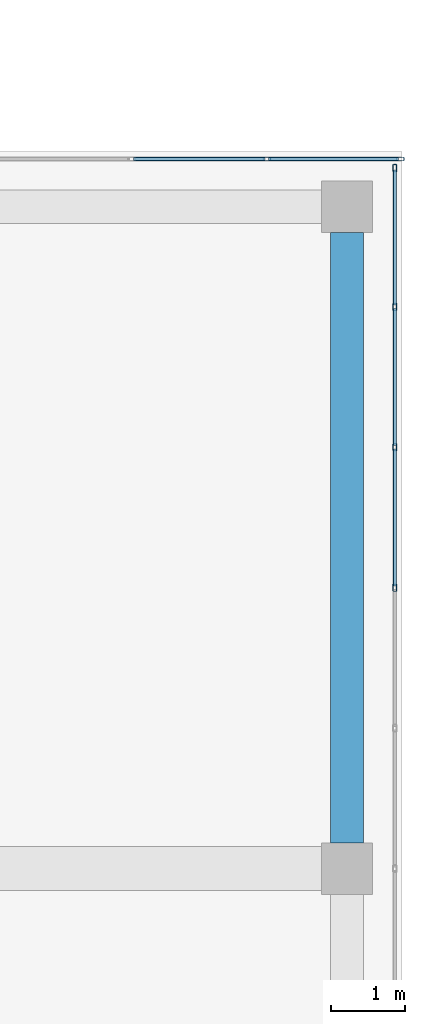
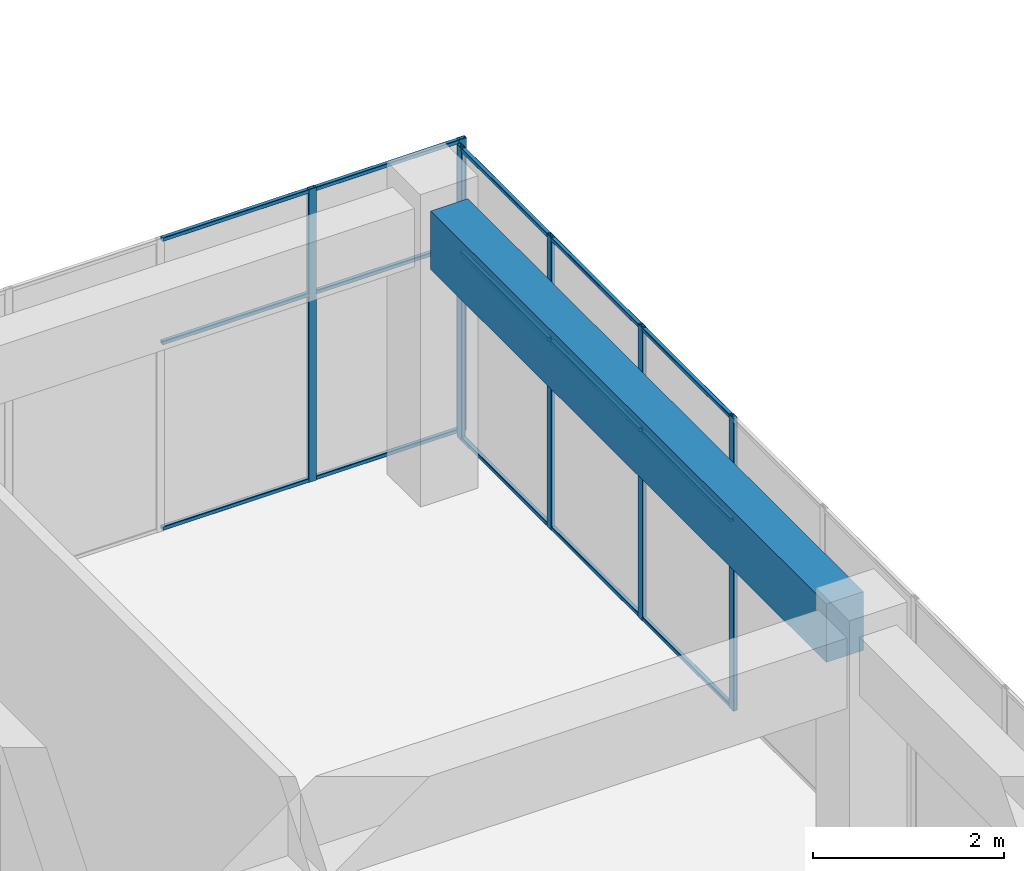
# One storey, part 28 of 49: 21 members, 1 beam, 2 elements without a shape of their own.
"""IFC4 building model written with IfcOpenShell, lengths in metres."""

from ifc_helpers import new_model, si_unit, direction, frame, origin, origin_2d, place, context, subcontext, project, spatial, rectangle, hollow_rectangle, extrude, material, layer, layer_set, material_profile, profile_set, type_object, element, aggregate, save


model = new_model("IFC4")

# Units and contexts
model_context = context("Model", 3, precision=1e-05, world=origin(), true_north=direction((0.0, 1.0)))
body_context = subcontext(model_context, "Body", "Model", "MODEL_VIEW")
ifc_project = project(units=[si_unit("LENGTHUNIT", "METRE"), si_unit("AREAUNIT", "SQUARE_METRE"), si_unit("VOLUMEUNIT", "CUBIC_METRE"), si_unit("PLANEANGLEUNIT", "RADIAN"), si_unit("MASSUNIT", "GRAM", prefix="KILO")], contexts=[model_context])

# Site, building, storey
site_placement = place(None, origin())
site = spatial("IfcSite", under=ifc_project, at=site_placement, CompositionType="ELEMENT")
building_placement = place(site_placement, origin())
building = spatial("IfcBuilding", under=site, at=building_placement, Name="Tuart Plaza Theatre", CompositionType="ELEMENT")
storey_placement = place(building_placement, frame((0.0, 0.0, 29.5)))
storey = spatial("IfcBuildingStorey", under=building, at=storey_placement, Name="L07", CompositionType="ELEMENT", Elevation=29.5)

# Beam
ifc_material_1 = material(Name="Concrete N40 (40 MPa)", Category="concrete")
ifc_material_profile_1 = material_profile(ifc_material_1, rectangle(XDim=0.449951171875, YDim=0.75, at=origin_2d()), Name="BEAM 450x750 Concrete N40 (40 MPa)")
ifc_profile_set_1 = profile_set([ifc_material_profile_1], Name="Concrete N40 (40 MPa)")
beam_type = type_object("IfcBeamType", Name="BEAM 450x750 Concrete N40 (40 MPa)", PredefinedType="BEAM", material=ifc_profile_set_1)
beam_placement = place(storey_placement, frame((150.0, 74.35009765625, 3.375), z_axis=(0.0, 1.0, 0.0), x_axis=(-1.0, 0.0, 0.0)))
element("IfcBeam", 1, at=beam_placement, inside=storey, type_object=beam_type, Name="RB278", PredefinedType="BEAM", context=body_context, shape_type="SweptSolid", body=[
    extrude(rectangle(XDim=0.449951171875, YDim=0.75, at=origin_2d()), origin(), (0.0, 0.0, 1.0), 8.2998046875),
])

# Curtain wall, members
ifc_material_2 = material(Name="Aluminium and glass", Category="aluminium")
ifc_layer = layer(ifc_material_2, 0.10009765625)
ifc_layer_set = layer_set([ifc_layer], Name="CURTAIN WALL 2000 module")
curtain_wall_type = type_object("IfcCurtainWallType", Name="CURTAIN WALL 2000 module", PredefinedType="NOTDEFINED", material=ifc_layer_set)
curtain_wall_1_placement = place(storey_placement, origin())
curtain_wall_1 = element("IfcCurtainWall", 2, at=curtain_wall_1_placement, inside=storey, type_object=curtain_wall_type, Name="CW92", PredefinedType="NOTDEFINED")
ifc_material_3 = material(Name="Aluminium 6063-T5", Category="aluminium")
ifc_material_profile_2 = material_profile(ifc_material_3, hollow_rectangle(XDim=0.050048828125, YDim=0.10009765625, WallThickness=0.00390625, InnerFilletRadius=0.00390625, OuterFilletRadius=0.008056640625, at=origin_2d()), Name="RHS 100x50x4")
ifc_profile_set_2 = profile_set([ifc_material_profile_2], Name="Aluminium 6063-T5")
member_type_1 = type_object("IfcMemberType", Name="MULLION RHS 100x50x4", PredefinedType="MULLION", material=ifc_profile_set_2)
member_1_placement = place(storey_placement, frame((150.64990234375, 77.820068359375, 0.0), z_axis=(0.0, 0.0, 1.0), x_axis=(-1.0, 0.0, 0.0)))
member_1 = element("IfcMember", 3, at=member_1_placement, type_object=member_type_1, Name="CW92 mullion 8", PredefinedType="MULLION", context=body_context, shape_type="SweptSolid", body=[
    extrude(hollow_rectangle(XDim=0.050048828125, YDim=0.10009765625, WallThickness=0.00390625, InnerFilletRadius=0.00390625, OuterFilletRadius=0.008056640625, at=origin_2d()), origin(), (0.0, 0.0, 1.0), 3.75),
])
member_2_placement = place(storey_placement, frame((150.64990234375, 79.72998046875, 0.0), z_axis=(0.0, 0.0, 1.0), x_axis=(-1.0, 0.0, 0.0)))
member_2 = element("IfcMember", 4, at=member_2_placement, type_object=member_type_1, Name="CW92 mullion 9", PredefinedType="MULLION", context=body_context, shape_type="SweptSolid", body=[
    extrude(hollow_rectangle(XDim=0.050048828125, YDim=0.10009765625, WallThickness=0.00390625, InnerFilletRadius=0.00390625, OuterFilletRadius=0.008056640625, at=origin_2d()), origin(), (0.0, 0.0, 1.0), 3.75),
])
member_3_placement = place(storey_placement, frame((150.64990234375, 81.639892578125, 0.0), z_axis=(0.0, 0.0, 1.0), x_axis=(-1.0, 0.0, 0.0)))
member_3 = element("IfcMember", 5, at=member_3_placement, type_object=member_type_1, Name="CW92 mullion 10", PredefinedType="MULLION", context=body_context, shape_type="SweptSolid", body=[
    extrude(hollow_rectangle(XDim=0.050048828125, YDim=0.10009765625, WallThickness=0.00390625, InnerFilletRadius=0.00390625, OuterFilletRadius=0.008056640625, at=origin_2d()), origin(), (0.0, 0.0, 1.0), 3.75),
])
member_4_placement = place(storey_placement, frame((150.64990234375, 83.52490234375, 0.0), z_axis=(0.0, 0.0, 1.0), x_axis=(-1.0, 0.0, 0.0)))
member_4 = element("IfcMember", 6, at=member_4_placement, type_object=member_type_1, Name="CW92 mullion 11", PredefinedType="MULLION", context=body_context, shape_type="SweptSolid", body=[
    extrude(hollow_rectangle(XDim=0.050048828125, YDim=0.10009765625, WallThickness=0.00390625, InnerFilletRadius=0.00390625, OuterFilletRadius=0.008056640625, at=origin_2d()), origin(), (0.0, 0.0, 1.0), 3.75),
])

curtain_wall_2_placement = place(storey_placement, origin())
curtain_wall_2 = element("IfcCurtainWall", 7, at=curtain_wall_2_placement, inside=storey, type_object=curtain_wall_type, Name="CW93", PredefinedType="NOTDEFINED")
member_5_placement = place(storey_placement, frame((150.72509765625, 83.64990234375, 0.0), z_axis=(0.0, 0.0, 1.0), x_axis=(0.0, -1.0, 0.0)))
member_5 = element("IfcMember", 8, at=member_5_placement, type_object=member_type_1, Name="CW93 mullion 1", PredefinedType="MULLION", context=body_context, shape_type="SweptSolid", body=[
    extrude(hollow_rectangle(XDim=0.050048828125, YDim=0.10009765625, WallThickness=0.00390625, InnerFilletRadius=0.00390625, OuterFilletRadius=0.008056640625, at=origin_2d()), origin(), (0.0, 0.0, 1.0), 3.75),
])
member_6_placement = place(storey_placement, frame((148.909912109375, 83.64990234375, 0.0), z_axis=(0.0, 0.0, 1.0), x_axis=(0.0, -1.0, 0.0)))
member_6 = element("IfcMember", 9, at=member_6_placement, type_object=member_type_1, Name="CW93 mullion 2", PredefinedType="MULLION", context=body_context, shape_type="SweptSolid", body=[
    extrude(hollow_rectangle(XDim=0.050048828125, YDim=0.10009765625, WallThickness=0.00390625, InnerFilletRadius=0.00390625, OuterFilletRadius=0.008056640625, at=origin_2d()), origin(), (0.0, 0.0, 1.0), 3.75),
])

# Member
ifc_material_4 = material(Name="Aluminium 6063-T5", Category="aluminium")
ifc_material_profile_3 = material_profile(ifc_material_4, hollow_rectangle(XDim=0.050048828125, YDim=0.050048828125, WallThickness=0.00390625, InnerFilletRadius=0.00390625, OuterFilletRadius=0.008056640625, at=origin_2d()), Name="RHS 50x50x4")
ifc_profile_set_3 = profile_set([ifc_material_profile_3], Name="Aluminium 6063-T5")
member_type_2 = type_object("IfcMemberType", Name="TRANSOM RHS 50x50x4", PredefinedType="USERDEFINED", material=ifc_profile_set_3)
member_7_placement = place(storey_placement, frame((150.64990234375, 77.844970703125, 0.02490234375), z_axis=(0.0, 1.0, 0.0), x_axis=(-1.0, 0.0, 0.0)))
member_7 = element("IfcMember", 10, at=member_7_placement, type_object=member_type_2, Name="CW92 transom 8.1", ObjectType="TRANSOM", PredefinedType="USERDEFINED", context=body_context, shape_type="SweptSolid", body=[
    extrude(hollow_rectangle(XDim=0.050048828125, YDim=0.050048828125, WallThickness=0.00390625, InnerFilletRadius=0.00390625, OuterFilletRadius=0.008056640625, at=origin_2d()), origin(), (0.0, 0.0, 1.0), 1.860107421875),
])

member_8_placement = place(storey_placement, frame((150.64990234375, 77.844970703125, 2.39990234375), z_axis=(0.0, 1.0, 0.0), x_axis=(-1.0, 0.0, 0.0)))
member_8 = element("IfcMember", 11, at=member_8_placement, type_object=member_type_2, Name="CW92 transom 8.2", ObjectType="TRANSOM", PredefinedType="USERDEFINED", context=body_context, shape_type="SweptSolid", body=[
    extrude(hollow_rectangle(XDim=0.050048828125, YDim=0.050048828125, WallThickness=0.00390625, InnerFilletRadius=0.00390625, OuterFilletRadius=0.008056640625, at=origin_2d()), origin(), (0.0, 0.0, 1.0), 1.860107421875),
])

member_9_placement = place(storey_placement, frame((150.64990234375, 77.844970703125, 3.72509765625), z_axis=(0.0, 1.0, 0.0), x_axis=(-1.0, 0.0, 0.0)))
member_9 = element("IfcMember", 12, at=member_9_placement, type_object=member_type_2, Name="CW92 transom 8.3", ObjectType="TRANSOM", PredefinedType="USERDEFINED", context=body_context, shape_type="SweptSolid", body=[
    extrude(hollow_rectangle(XDim=0.050048828125, YDim=0.050048828125, WallThickness=0.00390625, InnerFilletRadius=0.00390625, OuterFilletRadius=0.008056640625, at=origin_2d()), origin(), (0.0, 0.0, 1.0), 1.860107421875),
])

member_10_placement = place(storey_placement, frame((150.64990234375, 79.7548828125, 0.02490234375), z_axis=(0.0, 1.0, 0.0), x_axis=(-1.0, 0.0, 0.0)))
member_10 = element("IfcMember", 13, at=member_10_placement, type_object=member_type_2, Name="CW92 transom 9.1", ObjectType="TRANSOM", PredefinedType="USERDEFINED", context=body_context, shape_type="SweptSolid", body=[
    extrude(hollow_rectangle(XDim=0.050048828125, YDim=0.050048828125, WallThickness=0.00390625, InnerFilletRadius=0.00390625, OuterFilletRadius=0.008056640625, at=origin_2d()), origin(), (0.0, 0.0, 1.0), 1.860107421875),
])

member_11_placement = place(storey_placement, frame((150.64990234375, 79.7548828125, 2.39990234375), z_axis=(0.0, 1.0, 0.0), x_axis=(-1.0, 0.0, 0.0)))
member_11 = element("IfcMember", 14, at=member_11_placement, type_object=member_type_2, Name="CW92 transom 9.2", ObjectType="TRANSOM", PredefinedType="USERDEFINED", context=body_context, shape_type="SweptSolid", body=[
    extrude(hollow_rectangle(XDim=0.050048828125, YDim=0.050048828125, WallThickness=0.00390625, InnerFilletRadius=0.00390625, OuterFilletRadius=0.008056640625, at=origin_2d()), origin(), (0.0, 0.0, 1.0), 1.860107421875),
])

member_12_placement = place(storey_placement, frame((150.64990234375, 79.7548828125, 3.72509765625), z_axis=(0.0, 1.0, 0.0), x_axis=(-1.0, 0.0, 0.0)))
member_12 = element("IfcMember", 15, at=member_12_placement, type_object=member_type_2, Name="CW92 transom 9.3", ObjectType="TRANSOM", PredefinedType="USERDEFINED", context=body_context, shape_type="SweptSolid", body=[
    extrude(hollow_rectangle(XDim=0.050048828125, YDim=0.050048828125, WallThickness=0.00390625, InnerFilletRadius=0.00390625, OuterFilletRadius=0.008056640625, at=origin_2d()), origin(), (0.0, 0.0, 1.0), 1.860107421875),
])

member_13_placement = place(storey_placement, frame((150.64990234375, 81.6650390625, 0.02490234375), z_axis=(0.0, 1.0, 0.0), x_axis=(-1.0, 0.0, 0.0)))
member_13 = element("IfcMember", 16, at=member_13_placement, type_object=member_type_2, Name="CW92 transom 10.1", ObjectType="TRANSOM", PredefinedType="USERDEFINED", context=body_context, shape_type="SweptSolid", body=[
    extrude(hollow_rectangle(XDim=0.050048828125, YDim=0.050048828125, WallThickness=0.00390625, InnerFilletRadius=0.00390625, OuterFilletRadius=0.008056640625, at=origin_2d()), origin(), (0.0, 0.0, 1.0), 1.8349609375),
])

member_14_placement = place(storey_placement, frame((150.64990234375, 81.6650390625, 2.39990234375), z_axis=(0.0, 1.0, 0.0), x_axis=(-1.0, 0.0, 0.0)))
member_14 = element("IfcMember", 17, at=member_14_placement, type_object=member_type_2, Name="CW92 transom 10.2", ObjectType="TRANSOM", PredefinedType="USERDEFINED", context=body_context, shape_type="SweptSolid", body=[
    extrude(hollow_rectangle(XDim=0.050048828125, YDim=0.050048828125, WallThickness=0.00390625, InnerFilletRadius=0.00390625, OuterFilletRadius=0.008056640625, at=origin_2d()), origin(), (0.0, 0.0, 1.0), 1.8349609375),
])

member_15_placement = place(storey_placement, frame((150.64990234375, 81.6650390625, 3.72509765625), z_axis=(0.0, 1.0, 0.0), x_axis=(-1.0, 0.0, 0.0)))
member_15 = element("IfcMember", 18, at=member_15_placement, type_object=member_type_2, Name="CW92 transom 10.3", ObjectType="TRANSOM", PredefinedType="USERDEFINED", context=body_context, shape_type="SweptSolid", body=[
    extrude(hollow_rectangle(XDim=0.050048828125, YDim=0.050048828125, WallThickness=0.00390625, InnerFilletRadius=0.00390625, OuterFilletRadius=0.008056640625, at=origin_2d()), origin(), (0.0, 0.0, 1.0), 1.8349609375),
])

aggregate(curtain_wall_1, [member_1, member_2, member_3, member_4, member_7, member_8, member_9, member_10, member_11, member_12, member_13, member_14, member_15])

member_16_placement = place(storey_placement, frame((150.699951171875, 83.64990234375, 0.02490234375), z_axis=(-1.0, 0.0, 0.0), x_axis=(0.0, -1.0, 0.0)))
member_16 = element("IfcMember", 19, at=member_16_placement, type_object=member_type_2, Name="CW93 transom 1.1", ObjectType="TRANSOM", PredefinedType="USERDEFINED", context=body_context, shape_type="SweptSolid", body=[
    extrude(hollow_rectangle(XDim=0.050048828125, YDim=0.050048828125, WallThickness=0.00390625, InnerFilletRadius=0.00390625, OuterFilletRadius=0.008056640625, at=origin_2d()), origin(), (0.0, 0.0, 1.0), 1.764892578125),
])

member_17_placement = place(storey_placement, frame((150.699951171875, 83.64990234375, 2.39990234375), z_axis=(-1.0, 0.0, 0.0), x_axis=(0.0, -1.0, 0.0)))
member_17 = element("IfcMember", 20, at=member_17_placement, type_object=member_type_2, Name="CW93 transom 1.2", ObjectType="TRANSOM", PredefinedType="USERDEFINED", context=body_context, shape_type="SweptSolid", body=[
    extrude(hollow_rectangle(XDim=0.050048828125, YDim=0.050048828125, WallThickness=0.00390625, InnerFilletRadius=0.00390625, OuterFilletRadius=0.008056640625, at=origin_2d()), origin(), (0.0, 0.0, 1.0), 1.764892578125),
])

member_18_placement = place(storey_placement, frame((150.699951171875, 83.64990234375, 3.72509765625), z_axis=(-1.0, 0.0, 0.0), x_axis=(0.0, -1.0, 0.0)))
member_18 = element("IfcMember", 21, at=member_18_placement, type_object=member_type_2, Name="CW93 transom 1.3", ObjectType="TRANSOM", PredefinedType="USERDEFINED", context=body_context, shape_type="SweptSolid", body=[
    extrude(hollow_rectangle(XDim=0.050048828125, YDim=0.050048828125, WallThickness=0.00390625, InnerFilletRadius=0.00390625, OuterFilletRadius=0.008056640625, at=origin_2d()), origin(), (0.0, 0.0, 1.0), 1.764892578125),
])

member_19_placement = place(storey_placement, frame((148.885009765625, 83.64990234375, 0.02490234375), z_axis=(-1.0, 0.0, 0.0), x_axis=(0.0, -1.0, 0.0)))
member_19 = element("IfcMember", 22, at=member_19_placement, type_object=member_type_2, Name="CW93 transom 2.1", ObjectType="TRANSOM", PredefinedType="USERDEFINED", context=body_context, shape_type="SweptSolid", body=[
    extrude(hollow_rectangle(XDim=0.050048828125, YDim=0.050048828125, WallThickness=0.00390625, InnerFilletRadius=0.00390625, OuterFilletRadius=0.008056640625, at=origin_2d()), origin(), (0.0, 0.0, 1.0), 1.7900390625),
])

member_20_placement = place(storey_placement, frame((148.885009765625, 83.64990234375, 2.39990234375), z_axis=(-1.0, 0.0, 0.0), x_axis=(0.0, -1.0, 0.0)))
member_20 = element("IfcMember", 23, at=member_20_placement, type_object=member_type_2, Name="CW93 transom 2.2", ObjectType="TRANSOM", PredefinedType="USERDEFINED", context=body_context, shape_type="SweptSolid", body=[
    extrude(hollow_rectangle(XDim=0.050048828125, YDim=0.050048828125, WallThickness=0.00390625, InnerFilletRadius=0.00390625, OuterFilletRadius=0.008056640625, at=origin_2d()), origin(), (0.0, 0.0, 1.0), 1.7900390625),
])

member_21_placement = place(storey_placement, frame((148.885009765625, 83.64990234375, 3.72509765625), z_axis=(-1.0, 0.0, 0.0), x_axis=(0.0, -1.0, 0.0)))
member_21 = element("IfcMember", 24, at=member_21_placement, type_object=member_type_2, Name="CW93 transom 2.3", ObjectType="TRANSOM", PredefinedType="USERDEFINED", context=body_context, shape_type="SweptSolid", body=[
    extrude(hollow_rectangle(XDim=0.050048828125, YDim=0.050048828125, WallThickness=0.00390625, InnerFilletRadius=0.00390625, OuterFilletRadius=0.008056640625, at=origin_2d()), origin(), (0.0, 0.0, 1.0), 1.7900390625),
])

aggregate(curtain_wall_2, [member_5, member_6, member_16, member_17, member_18, member_19, member_20, member_21])

save(model, "model.ifc")
